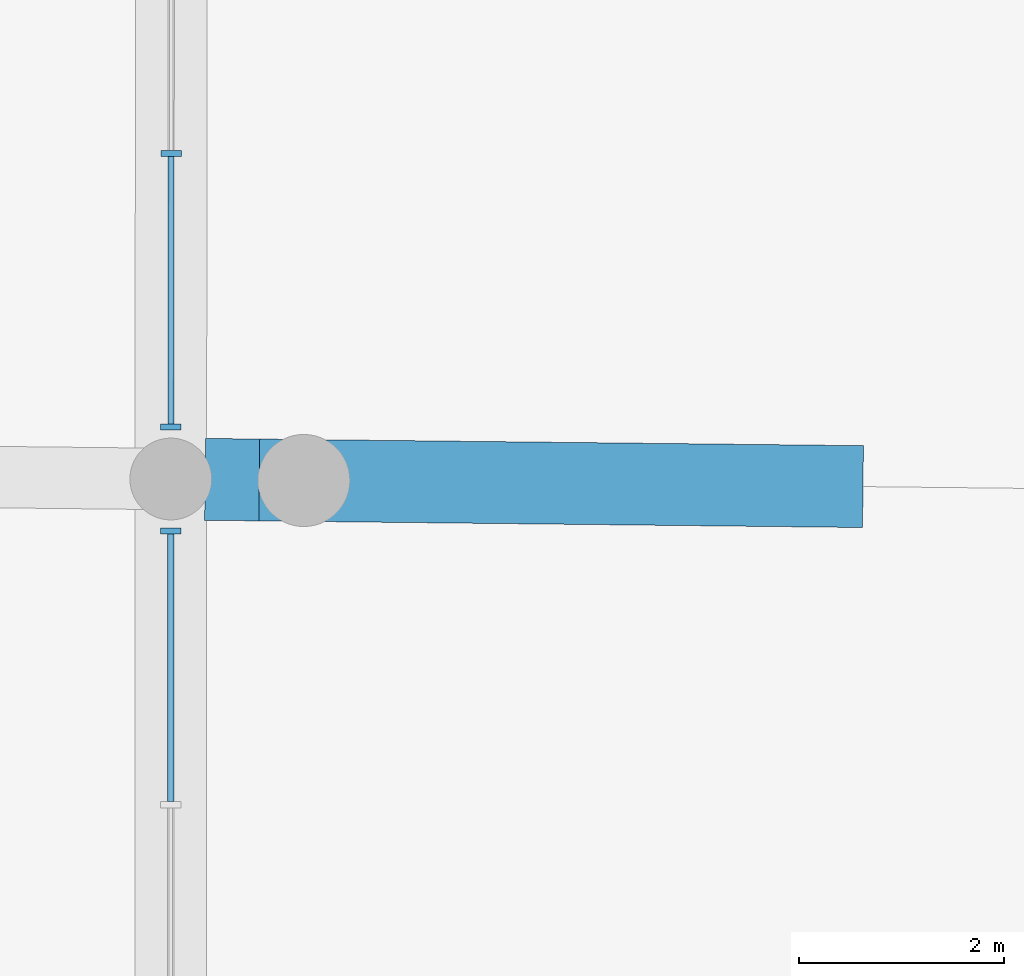
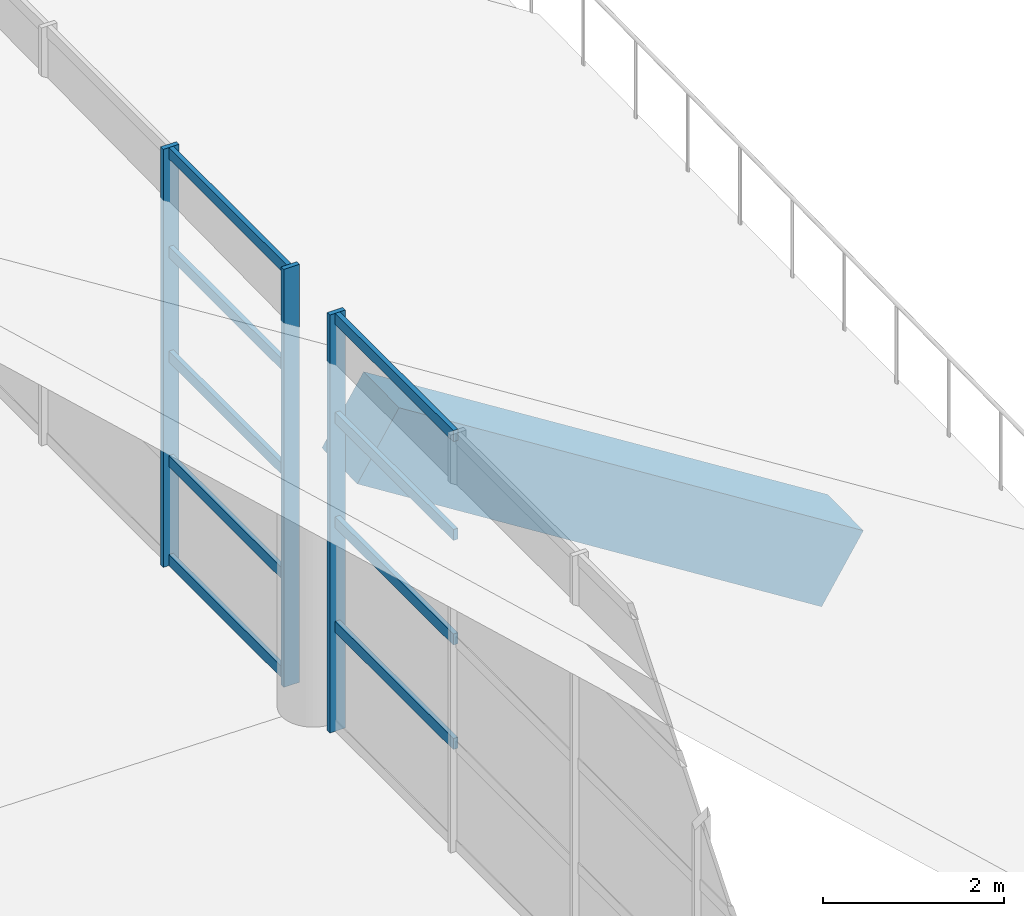
# One storey, part 27 of 249: 12 members, 1 beam, 2 elements without a shape of their own.
"""IFC4 building model written with IfcOpenShell, lengths in metres."""

from ifc_helpers import new_model, si_unit, direction, frame, origin, origin_2d, place, context, subcontext, project, spatial, rectangle, extrude, material, layer, layer_set, material_profile, profile_set, type_object, element, aggregate, save


model = new_model("IFC4")

# Units and contexts
model_context = context("Model", 3, precision=1e-05, world=origin(), true_north=direction((0.0, 1.0)))
body_context = subcontext(model_context, "Body", "Model", "MODEL_VIEW")
ifc_project = project(units=[si_unit("LENGTHUNIT", "METRE"), si_unit("AREAUNIT", "SQUARE_METRE"), si_unit("VOLUMEUNIT", "CUBIC_METRE"), si_unit("PLANEANGLEUNIT", "RADIAN"), si_unit("MASSUNIT", "GRAM", prefix="KILO")], contexts=[model_context])

# Site, building, storey
site_placement = place(None, origin())
site = spatial("IfcSite", under=ifc_project, at=site_placement, CompositionType="ELEMENT")
building_placement = place(site_placement, origin())
building = spatial("IfcBuilding", under=site, at=building_placement, Name="Meseta Stadium", CompositionType="ELEMENT")
storey_placement = place(building_placement, frame((0.0, 0.0, 12.0)))
storey = spatial("IfcBuildingStorey", under=building, at=storey_placement, Name="L02", CompositionType="ELEMENT", Elevation=12.0)

# Curtain wall, members
ifc_material_1 = material(Name="Aluminium", Category="aluminium")
ifc_layer = layer(ifc_material_1, 0.199951171875)
ifc_layer_set = layer_set([ifc_layer], Name="Suite glazing curtain wall")
curtain_wall_type = type_object("IfcCurtainWallType", Name="Suite glazing curtain wall", PredefinedType="NOTDEFINED", material=ifc_layer_set)
curtain_wall_1_placement = place(storey_placement, origin())
curtain_wall_1 = element("IfcCurtainWall", 1, at=curtain_wall_1_placement, inside=storey, type_object=curtain_wall_type, Name="Suite glazing bay 31", PredefinedType="NOTDEFINED")
ifc_material_2 = material(Name="Aluminium", Category="aluminium")
ifc_material_profile_1 = material_profile(ifc_material_2, rectangle(XDim=0.199951171875, YDim=0.06005859375, at=origin_2d()), Name="CW 200x60")
ifc_profile_set_1 = profile_set([ifc_material_profile_1], Name="Aluminium")
member_type_1 = type_object("IfcMemberType", Name="CW mullion 60x200", PredefinedType="MULLION", material=ifc_profile_set_1)
member_1_placement = place(storey_placement, frame((-64.8955078125, 9.06982421875, 0.0), z_axis=(0.0, 0.0, 1.0), x_axis=(0.99999952434, -0.000975355927, 0.0)))
member_1 = element("IfcMember", 2, at=member_1_placement, type_object=member_type_1, Name="CWS mullion 4", PredefinedType="MULLION", context=body_context, shape_type="SweptSolid", body=[
    extrude(rectangle(XDim=0.199951171875, YDim=0.06005859375, at=origin_2d()), origin(), (0.0, 0.0, 1.0), 5.64990234375),
])
member_2_placement = place(storey_placement, frame((-64.89794921875, 6.39599609375, 0.0), z_axis=(0.0, 0.0, 1.0), x_axis=(0.99999952434, -0.000975355927, 0.0)))
member_2 = element("IfcMember", 3, at=member_2_placement, type_object=member_type_1, Name="CWS mullion 5", PredefinedType="MULLION", context=body_context, shape_type="SweptSolid", body=[
    extrude(rectangle(XDim=0.199951171875, YDim=0.06005859375, at=origin_2d()), origin(), (0.0, 0.0, 1.0), 5.64990234375),
])

# Curtain wall, member
curtain_wall_2_placement = place(storey_placement, origin())
curtain_wall_2 = element("IfcCurtainWall", 4, at=curtain_wall_2_placement, inside=storey, type_object=curtain_wall_type, Name="Suite glazing bay 32", PredefinedType="NOTDEFINED")
member_3_placement = place(storey_placement, frame((-64.898681640625, 5.378173828125, 0.0), z_axis=(0.0, 0.0, 1.0), x_axis=(1.0, 0.0, 0.0)))
member_3 = element("IfcMember", 5, at=member_3_placement, type_object=member_type_1, Name="CWS mullion 1", PredefinedType="MULLION", context=body_context, shape_type="SweptSolid", body=[
    extrude(rectangle(XDim=0.199951171875, YDim=0.06005859375, at=origin_2d()), origin(), (0.0, 0.0, 1.0), 5.64990234375),
])

# Member
ifc_material_3 = material(Name="Aluminium", Category="aluminium")
ifc_material_profile_2 = material_profile(ifc_material_3, rectangle(XDim=0.06005859375, YDim=0.14990234375, at=origin_2d()), Name="CW 60x150")
ifc_profile_set_2 = profile_set([ifc_material_profile_2], Name="Aluminium")
member_type_2 = type_object("IfcMemberType", Name="CW transom 60x150", PredefinedType="USERDEFINED", material=ifc_profile_set_2)
member_4_placement = place(storey_placement, frame((-64.8955078125, 9.039794921875, 0.074951171875), z_axis=(-0.000934055262, -0.99999956377, 0.0), x_axis=(0.99999956377, -0.000934055262, 0.0)))
member_4 = element("IfcMember", 6, at=member_4_placement, type_object=member_type_2, Name="CWS transom 4.1", ObjectType="TRANSOM", PredefinedType="USERDEFINED", context=body_context, shape_type="SweptSolid", body=[
    extrude(rectangle(XDim=0.06005859375, YDim=0.14990234375, at=origin_2d()), origin(), (0.0, 0.0, 1.0), 2.61376953125),
])

member_5_placement = place(storey_placement, frame((-64.8955078125, 9.039794921875, 1.41259765625), z_axis=(-0.000934055262, -0.99999956377, 0.0), x_axis=(0.99999956377, -0.000934055262, 0.0)))
member_5 = element("IfcMember", 7, at=member_5_placement, type_object=member_type_2, Name="CWS transom 4.2", ObjectType="TRANSOM", PredefinedType="USERDEFINED", context=body_context, shape_type="SweptSolid", body=[
    extrude(rectangle(XDim=0.06005859375, YDim=0.14990234375, at=origin_2d()), origin(), (0.0, 0.0, 1.0), 2.61376953125),
])

member_6_placement = place(storey_placement, frame((-64.8955078125, 9.039794921875, 2.824951171875), z_axis=(-0.000934055262, -0.99999956377, 0.0), x_axis=(0.99999956377, -0.000934055262, 0.0)))
member_6 = element("IfcMember", 8, at=member_6_placement, type_object=member_type_2, Name="CWS transom 4.3", ObjectType="TRANSOM", PredefinedType="USERDEFINED", context=body_context, shape_type="SweptSolid", body=[
    extrude(rectangle(XDim=0.06005859375, YDim=0.14990234375, at=origin_2d()), origin(), (0.0, 0.0, 1.0), 2.61376953125),
])

member_7_placement = place(storey_placement, frame((-64.8955078125, 9.039794921875, 4.237548828125), z_axis=(-0.000934055262, -0.99999956377, 0.0), x_axis=(0.99999956377, -0.000934055262, 0.0)))
member_7 = element("IfcMember", 9, at=member_7_placement, type_object=member_type_2, Name="CWS transom 4.4", ObjectType="TRANSOM", PredefinedType="USERDEFINED", context=body_context, shape_type="SweptSolid", body=[
    extrude(rectangle(XDim=0.06005859375, YDim=0.14990234375, at=origin_2d()), origin(), (0.0, 0.0, 1.0), 2.61376953125),
])

member_8_placement = place(storey_placement, frame((-64.8955078125, 9.039794921875, 5.574951171875), z_axis=(-0.000934055262, -0.99999956377, 0.0), x_axis=(0.99999956377, -0.000934055262, 0.0)))
member_8 = element("IfcMember", 10, at=member_8_placement, type_object=member_type_2, Name="CWS transom 4.5", ObjectType="TRANSOM", PredefinedType="USERDEFINED", context=body_context, shape_type="SweptSolid", body=[
    extrude(rectangle(XDim=0.06005859375, YDim=0.14990234375, at=origin_2d()), origin(), (0.0, 0.0, 1.0), 2.61376953125),
])

aggregate(curtain_wall_1, [member_1, member_2, member_4, member_5, member_6, member_7, member_8])

member_9_placement = place(storey_placement, frame((-64.898681640625, 5.34814453125, 1.41259765625), z_axis=(0.0, -1.0, 0.0), x_axis=(1.0, 0.0, 0.0)))
member_9 = element("IfcMember", 11, at=member_9_placement, type_object=member_type_2, Name="CWS transom 1.2", ObjectType="TRANSOM", PredefinedType="USERDEFINED", context=body_context, shape_type="SweptSolid", body=[
    extrude(rectangle(XDim=0.06005859375, YDim=0.14990234375, at=origin_2d()), origin(), (0.0, 0.0, 1.0), 2.614013671875),
])

member_10_placement = place(storey_placement, frame((-64.898681640625, 5.34814453125, 2.824951171875), z_axis=(0.0, -1.0, 0.0), x_axis=(1.0, 0.0, 0.0)))
member_10 = element("IfcMember", 12, at=member_10_placement, type_object=member_type_2, Name="CWS transom 1.3", ObjectType="TRANSOM", PredefinedType="USERDEFINED", context=body_context, shape_type="SweptSolid", body=[
    extrude(rectangle(XDim=0.06005859375, YDim=0.14990234375, at=origin_2d()), origin(), (0.0, 0.0, 1.0), 2.614013671875),
])

member_11_placement = place(storey_placement, frame((-64.898681640625, 5.34814453125, 4.237548828125), z_axis=(0.0, -1.0, 0.0), x_axis=(1.0, 0.0, 0.0)))
member_11 = element("IfcMember", 13, at=member_11_placement, type_object=member_type_2, Name="CWS transom 1.4", ObjectType="TRANSOM", PredefinedType="USERDEFINED", context=body_context, shape_type="SweptSolid", body=[
    extrude(rectangle(XDim=0.06005859375, YDim=0.14990234375, at=origin_2d()), origin(), (0.0, 0.0, 1.0), 2.614013671875),
])

member_12_placement = place(storey_placement, frame((-64.898681640625, 5.34814453125, 5.574951171875), z_axis=(0.0, -1.0, 0.0), x_axis=(1.0, 0.0, 0.0)))
member_12 = element("IfcMember", 14, at=member_12_placement, type_object=member_type_2, Name="CWS transom 1.5", ObjectType="TRANSOM", PredefinedType="USERDEFINED", context=body_context, shape_type="SweptSolid", body=[
    extrude(rectangle(XDim=0.06005859375, YDim=0.14990234375, at=origin_2d()), origin(), (0.0, 0.0, 1.0), 2.614013671875),
])

aggregate(curtain_wall_2, [member_3, member_9, member_10, member_11, member_12])

# Beam
ifc_material_4 = material(Name="Concrete C40/50", Category="concrete")
ifc_material_profile_3 = material_profile(ifc_material_4, rectangle(XDim=0.800048828125, YDim=1.0, at=origin_2d()), Name="RC 800x1000")
ifc_profile_set_3 = profile_set([ifc_material_profile_3], Name="Concrete C40/50")
beam_type = type_object("IfcBeamType", Name="RC raker upper front 800x1000", PredefinedType="USERDEFINED", material=ifc_profile_set_3)
beam_placement = place(storey_placement, frame((-58.39892578125, 5.81591796875, -0.12744140625), z_axis=(-0.847963610779, 0.009299000904, 0.529972870416), x_axis=(-0.010965614198, -0.999939875845, 0.0)))
element("IfcBeam", 15, at=beam_placement, inside=storey, type_object=beam_type, Name="Raker upper front frame 32 upper tier", ObjectType="RAKER", PredefinedType="USERDEFINED", context=body_context, shape_type="SweptSolid", body=[
    extrude(rectangle(XDim=0.800048828125, YDim=1.0, at=origin_2d()), origin(), (0.0, 0.0, 1.0), 6.95751953125),
])

save(model, "model.ifc")
